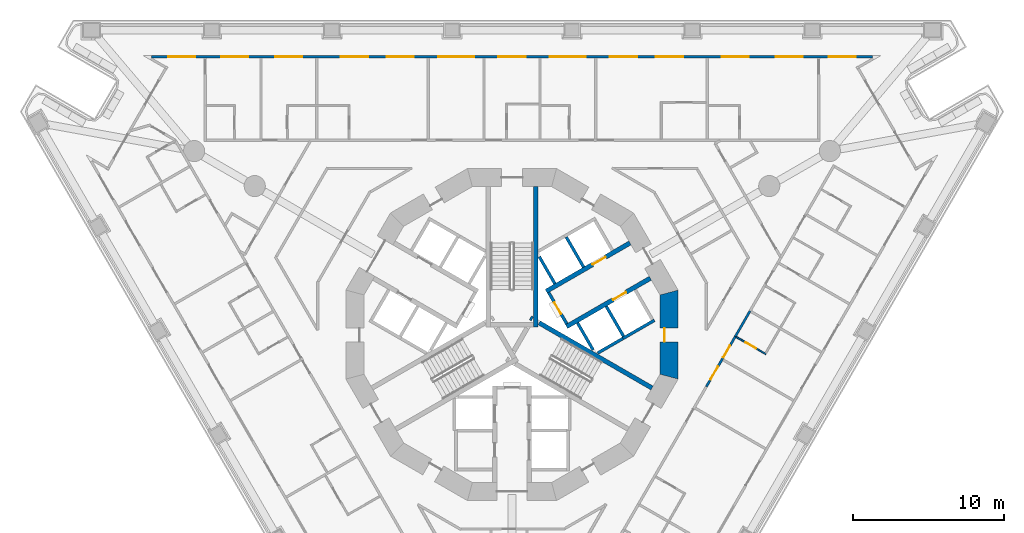
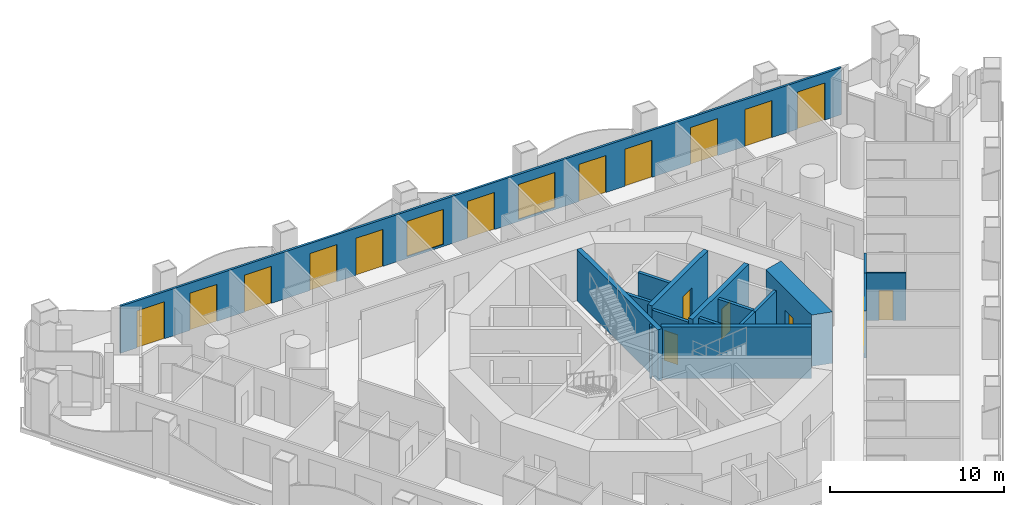
# One storey, part 8 of 19: 18 doors, 17 walls, 2 windows, 20 openings.
"""IFC4 building model written with IfcOpenShell, lengths in metres."""

from ifc_helpers import new_model, si_unit, direction, frame, frame_2d, origin, place, context, subcontext, project, spatial, polyline, rectangle, outline, extrude, material, layer, layer_set, type_object, element, fill, save


model = new_model("IFC4")

# Units and contexts
model_context = context("Model", 3, precision=1e-05, world=origin(), true_north=direction((0.0, 1.0)))
body_context = subcontext(model_context, "Body", "Model", "MODEL_VIEW")
ifc_project = project(units=[si_unit("LENGTHUNIT", "METRE"), si_unit("AREAUNIT", "SQUARE_METRE"), si_unit("VOLUMEUNIT", "CUBIC_METRE"), si_unit("PLANEANGLEUNIT", "RADIAN"), si_unit("MASSUNIT", "GRAM", prefix="KILO")], contexts=[model_context])

# Site, building, storey
site_placement = place(None, origin())
site = spatial("IfcSite", under=ifc_project, at=site_placement, CompositionType="ELEMENT")
building_placement = place(site_placement, origin())
building = spatial("IfcBuilding", under=site, at=building_placement, Name="Trine Commons Tower", CompositionType="ELEMENT")
storey_placement = place(building_placement, frame((0.0, 0.0, 31.5)))
storey = spatial("IfcBuildingStorey", under=building, at=storey_placement, Name="L06", CompositionType="ELEMENT", Elevation=31.5)

# Wall, openings, windows, doors
ifc_material_1 = material(Name="Aluminium-framed insulated wall panel", Category="aluminium")
ifc_layer_1 = layer(ifc_material_1, 0.14990234375)
ifc_layer_set_1 = layer_set([ifc_layer_1], Name="Aluminium-framed insulated wall panel")
wall_type_1 = type_object("IfcWallType", Name="Glazed frame wall 150, EI 60", PredefinedType="SOLIDWALL", material=ifc_layer_set_1)
wall_1_placement = place(storey_placement, frame((55.956787109375, 80.919677734375, 0.0), z_axis=(0.0, 0.0, 1.0), x_axis=(1.0, 0.0, 0.0)))
wall_1 = element("IfcWall", 1, at=wall_1_placement, inside=storey, type_object=wall_type_1, Name="Glazed frame wall F1", PredefinedType="SOLIDWALL", context=body_context, shape_type="SweptSolid", body=[
    extrude(outline(polyline([(0.1494140625, 0.074951171875), (0.1494140625, -0.074951171875), (47.93701171875, -0.074951171875), (47.93701171875, 0.074951171875), (0.1494140625, 0.074951171875)])), origin(), (0.0, 0.0, 1.0), 3.300048828125),
])
opening_1_placement = place(wall_1_placement, frame((1.24951171875, 0.0, 0.0)))
opening_1 = element("IfcOpeningElement", 2, at=opening_1_placement, cuts=wall_1, Name="Opening BD-1F1-01", PredefinedType="OPENING", context=body_context, shape_type="SweptSolid", body=[
    extrude(rectangle(XDim=1.800048828125, YDim=2.60009765625, at=frame_2d((0.89990234375, 1.300048828125))), frame((0.0, 0.0849609375, 0.0), z_axis=(0.0, -1.0, 0.0), x_axis=(1.0, 0.0, 0.0)), (0.0, 0.0, 1.0), 0.169921875),
])
opening_2_placement = place(wall_1_placement, frame((4.748291015625, 0.0, 0.0)))
opening_2 = element("IfcOpeningElement", 3, at=opening_2_placement, cuts=wall_1, Name="Opening BD-1F1-02", PredefinedType="OPENING", context=body_context, shape_type="SweptSolid", body=[
    extrude(rectangle(XDim=1.800048828125, YDim=2.60009765625, at=frame_2d((0.89990234375, 1.300048828125))), frame((0.0, 0.0849609375, 0.0), z_axis=(0.0, -1.0, 0.0), x_axis=(1.0, 0.0, 0.0)), (0.0, 0.0, 1.0), 0.169921875),
])
opening_3_placement = place(wall_1_placement, frame((8.347412109375, 0.0, 0.0)))
opening_3 = element("IfcOpeningElement", 4, at=opening_3_placement, cuts=wall_1, Name="Opening BD-1F1-03", PredefinedType="OPENING", context=body_context, shape_type="SweptSolid", body=[
    extrude(rectangle(XDim=1.800048828125, YDim=2.60009765625, at=frame_2d((0.89990234375, 1.300048828125))), frame((0.0, 0.0849609375, 0.0), z_axis=(0.0, -1.0, 0.0), x_axis=(1.0, 0.0, 0.0)), (0.0, 0.0, 1.0), 0.169921875),
])
opening_4_placement = place(wall_1_placement, frame((12.69580078125, 0.0, 0.0)))
opening_4 = element("IfcOpeningElement", 5, at=opening_4_placement, cuts=wall_1, Name="Opening BD-1F1-04", PredefinedType="OPENING", context=body_context, shape_type="SweptSolid", body=[
    extrude(rectangle(XDim=1.800048828125, YDim=2.60009765625, at=frame_2d((0.89990234375, 1.300048828125))), frame((0.0, 0.0849609375, 0.0), z_axis=(0.0, -1.0, 0.0), x_axis=(1.0, 0.0, 0.0)), (0.0, 0.0, 1.0), 0.169921875),
])
opening_5_placement = place(wall_1_placement, frame((15.7451171875, 0.0, 0.0)))
opening_5 = element("IfcOpeningElement", 6, at=opening_5_placement, cuts=wall_1, Name="Opening BD-1F1-05", PredefinedType="OPENING", context=body_context, shape_type="SweptSolid", body=[
    extrude(rectangle(XDim=1.800048828125, YDim=2.60009765625, at=frame_2d((0.89990234375, 1.300048828125))), frame((0.0, 0.0849609375, 0.0), z_axis=(0.0, -1.0, 0.0), x_axis=(1.0, 0.0, 0.0)), (0.0, 0.0, 1.0), 0.169921875),
])
opening_6_placement = place(wall_1_placement, frame((19.14404296875, 0.0, 0.14990234375)))
opening_6 = element("IfcOpeningElement", 7, at=opening_6_placement, cuts=wall_1, Name="Opening W-1F1-06", PredefinedType="OPENING", context=body_context, shape_type="SweptSolid", body=[
    extrude(rectangle(XDim=2.39990234375, YDim=2.449951171875, at=frame_2d((1.199951171875, 1.22509765625))), frame((0.0, 0.0849609375, 0.0), z_axis=(0.0, -1.0, 0.0), x_axis=(1.0, 0.0, 0.0)), (0.0, 0.0, 1.0), 0.169921875),
])
opening_7_placement = place(wall_1_placement, frame((23.142822265625, 0.0, 0.0)))
opening_7 = element("IfcOpeningElement", 8, at=opening_7_placement, cuts=wall_1, Name="Opening BD-1F1-07", PredefinedType="OPENING", context=body_context, shape_type="SweptSolid", body=[
    extrude(rectangle(XDim=1.800048828125, YDim=2.60009765625, at=frame_2d((0.89990234375, 1.300048828125))), frame((0.0, 0.0849609375, 0.0), z_axis=(0.0, -1.0, 0.0), x_axis=(1.0, 0.0, 0.0)), (0.0, 0.0, 1.0), 0.169921875),
])
opening_8_placement = place(wall_1_placement, frame((26.541748046875, 0.0, 0.14990234375)))
opening_8 = element("IfcOpeningElement", 9, at=opening_8_placement, cuts=wall_1, Name="Opening W-1F1-08", PredefinedType="OPENING", context=body_context, shape_type="SweptSolid", body=[
    extrude(rectangle(XDim=2.39990234375, YDim=2.449951171875, at=frame_2d((1.199951171875, 1.22509765625))), frame((0.0, 0.0849609375, 0.0), z_axis=(0.0, -1.0, 0.0), x_axis=(1.0, 0.0, 0.0)), (0.0, 0.0, 1.0), 0.169921875),
])
opening_9_placement = place(wall_1_placement, frame((30.54052734375, 0.0, 0.0)))
opening_9 = element("IfcOpeningElement", 10, at=opening_9_placement, cuts=wall_1, Name="Opening BD-1F1-09", PredefinedType="OPENING", context=body_context, shape_type="SweptSolid", body=[
    extrude(rectangle(XDim=1.800048828125, YDim=2.60009765625, at=frame_2d((0.89990234375, 1.300048828125))), frame((0.0, 0.0849609375, 0.0), z_axis=(0.0, -1.0, 0.0), x_axis=(1.0, 0.0, 0.0)), (0.0, 0.0, 1.0), 0.169921875),
])
opening_10_placement = place(wall_1_placement, frame((33.590087890625, 0.0, 0.0)))
opening_10 = element("IfcOpeningElement", 11, at=opening_10_placement, cuts=wall_1, Name="Opening BD-1F1-10", PredefinedType="OPENING", context=body_context, shape_type="SweptSolid", body=[
    extrude(rectangle(XDim=1.800048828125, YDim=2.60009765625, at=frame_2d((0.89990234375, 1.300048828125))), frame((0.0, 0.0849609375, 0.0), z_axis=(0.0, -1.0, 0.0), x_axis=(1.0, 0.0, 0.0)), (0.0, 0.0, 1.0), 0.169921875),
])
opening_11_placement = place(wall_1_placement, frame((37.9384765625, 0.0, 0.0)))
opening_11 = element("IfcOpeningElement", 12, at=opening_11_placement, cuts=wall_1, Name="Opening BD-1F1-11", PredefinedType="OPENING", context=body_context, shape_type="SweptSolid", body=[
    extrude(rectangle(XDim=1.800048828125, YDim=2.60009765625, at=frame_2d((0.89990234375, 1.300048828125))), frame((0.0, 0.0849609375, 0.0), z_axis=(0.0, -1.0, 0.0), x_axis=(1.0, 0.0, 0.0)), (0.0, 0.0, 1.0), 0.169921875),
])
opening_12_placement = place(wall_1_placement, frame((41.537353515625, 0.0, 0.0)))
opening_12 = element("IfcOpeningElement", 13, at=opening_12_placement, cuts=wall_1, Name="Opening BD-1F1-12", PredefinedType="OPENING", context=body_context, shape_type="SweptSolid", body=[
    extrude(rectangle(XDim=1.800048828125, YDim=2.60009765625, at=frame_2d((0.89990234375, 1.300048828125))), frame((0.0, 0.0849609375, 0.0), z_axis=(0.0, -1.0, 0.0), x_axis=(1.0, 0.0, 0.0)), (0.0, 0.0, 1.0), 0.169921875),
])
opening_13_placement = place(wall_1_placement, frame((45.036376953125, 0.0, 0.0)))
opening_13 = element("IfcOpeningElement", 14, at=opening_13_placement, cuts=wall_1, Name="Opening BD-1F1-13", PredefinedType="OPENING", context=body_context, shape_type="SweptSolid", body=[
    extrude(rectangle(XDim=1.800048828125, YDim=2.60009765625, at=frame_2d((0.89990234375, 1.300048828125))), frame((0.0, 0.0849609375, 0.0), z_axis=(0.0, -1.0, 0.0), x_axis=(1.0, 0.0, 0.0)), (0.0, 0.0, 1.0), 0.169921875),
])
ifc_material_2 = material(Name="Anodised aluminium frame with double glazing", Category="aluminium")
window_type = type_object("IfcWindowType", Name="Fixed window 2400x2450", PartitioningType="SINGLE_PANEL", PredefinedType="WINDOW", material=ifc_material_2)
window_1_placement = place(opening_6_placement, origin())
window_1 = element("IfcWindow", 15, at=window_1_placement, inside=storey, type_object=window_type, Name="Window F1 6", OverallHeight=2.449951171875, OverallWidth=2.39990234375, PartitioningType="SINGLE_PANEL", PredefinedType="WINDOW", context=body_context, shape_type="SweptSolid", body=[
    extrude(rectangle(XDim=2.39990234375, YDim=2.449951171875, at=frame_2d((1.199951171875, 1.22509765625))), frame((0.0, 0.030029296875, 0.0), z_axis=(0.0, -1.0, 0.0), x_axis=(1.0, 0.0, 0.0)), (0.0, 0.0, 1.0), 0.06005859375),
])
fill(opening_6, window_1)
window_2_placement = place(opening_8_placement, origin())
window_2 = element("IfcWindow", 16, at=window_2_placement, inside=storey, type_object=window_type, Name="Window F1 8", OverallHeight=2.449951171875, OverallWidth=2.39990234375, PartitioningType="SINGLE_PANEL", PredefinedType="WINDOW", context=body_context, shape_type="SweptSolid", body=[
    extrude(rectangle(XDim=2.39990234375, YDim=2.449951171875, at=frame_2d((1.199951171875, 1.22509765625))), frame((0.0, 0.030029296875, 0.0), z_axis=(0.0, -1.0, 0.0), x_axis=(1.0, 0.0, 0.0)), (0.0, 0.0, 1.0), 0.06005859375),
])
fill(opening_8, window_2)
door_type_1 = type_object("IfcDoorType", Name="Sliding loggia door 1800x2600", OperationType="SLIDING_TO_LEFT", PredefinedType="DOOR", material=ifc_material_2)
door_1_placement = place(opening_1_placement, origin())
door_1 = element("IfcDoor", 17, at=door_1_placement, inside=storey, type_object=door_type_1, Name="Loggia door F1 1", OperationType="SLIDING_TO_LEFT", OverallHeight=2.60009765625, OverallWidth=1.800048828125, PredefinedType="DOOR", context=body_context, shape_type="SweptSolid", body=[
    extrude(rectangle(XDim=1.800048828125, YDim=2.60009765625, at=frame_2d((0.89990234375, 1.300048828125))), frame((0.0, 0.02490234375, 0.0), z_axis=(0.0, -1.0, 0.0), x_axis=(1.0, 0.0, 0.0)), (0.0, 0.0, 1.0), 0.050048828125),
])
fill(opening_1, door_1)
door_2_placement = place(opening_2_placement, origin())
door_2 = element("IfcDoor", 18, at=door_2_placement, inside=storey, type_object=door_type_1, Name="Loggia door F1 2", OperationType="SLIDING_TO_LEFT", OverallHeight=2.60009765625, OverallWidth=1.800048828125, PredefinedType="DOOR", context=body_context, shape_type="SweptSolid", body=[
    extrude(rectangle(XDim=1.800048828125, YDim=2.60009765625, at=frame_2d((0.89990234375, 1.300048828125))), frame((0.0, 0.02490234375, 0.0), z_axis=(0.0, -1.0, 0.0), x_axis=(1.0, 0.0, 0.0)), (0.0, 0.0, 1.0), 0.050048828125),
])
fill(opening_2, door_2)
door_3_placement = place(opening_3_placement, origin())
door_3 = element("IfcDoor", 19, at=door_3_placement, inside=storey, type_object=door_type_1, Name="Loggia door F1 3", OperationType="SLIDING_TO_LEFT", OverallHeight=2.60009765625, OverallWidth=1.800048828125, PredefinedType="DOOR", context=body_context, shape_type="SweptSolid", body=[
    extrude(rectangle(XDim=1.800048828125, YDim=2.60009765625, at=frame_2d((0.89990234375, 1.300048828125))), frame((0.0, 0.02490234375, 0.0), z_axis=(0.0, -1.0, 0.0), x_axis=(1.0, 0.0, 0.0)), (0.0, 0.0, 1.0), 0.050048828125),
])
fill(opening_3, door_3)
door_4_placement = place(opening_4_placement, origin())
door_4 = element("IfcDoor", 20, at=door_4_placement, inside=storey, type_object=door_type_1, Name="Loggia door F1 4", OperationType="SLIDING_TO_LEFT", OverallHeight=2.60009765625, OverallWidth=1.800048828125, PredefinedType="DOOR", context=body_context, shape_type="SweptSolid", body=[
    extrude(rectangle(XDim=1.800048828125, YDim=2.60009765625, at=frame_2d((0.89990234375, 1.300048828125))), frame((0.0, 0.02490234375, 0.0), z_axis=(0.0, -1.0, 0.0), x_axis=(1.0, 0.0, 0.0)), (0.0, 0.0, 1.0), 0.050048828125),
])
fill(opening_4, door_4)
door_5_placement = place(opening_5_placement, origin())
door_5 = element("IfcDoor", 21, at=door_5_placement, inside=storey, type_object=door_type_1, Name="Loggia door F1 5", OperationType="SLIDING_TO_LEFT", OverallHeight=2.60009765625, OverallWidth=1.800048828125, PredefinedType="DOOR", context=body_context, shape_type="SweptSolid", body=[
    extrude(rectangle(XDim=1.800048828125, YDim=2.60009765625, at=frame_2d((0.89990234375, 1.300048828125))), frame((0.0, 0.02490234375, 0.0), z_axis=(0.0, -1.0, 0.0), x_axis=(1.0, 0.0, 0.0)), (0.0, 0.0, 1.0), 0.050048828125),
])
fill(opening_5, door_5)
door_6_placement = place(opening_7_placement, origin())
door_6 = element("IfcDoor", 22, at=door_6_placement, inside=storey, type_object=door_type_1, Name="Loggia door F1 7", OperationType="SLIDING_TO_LEFT", OverallHeight=2.60009765625, OverallWidth=1.800048828125, PredefinedType="DOOR", context=body_context, shape_type="SweptSolid", body=[
    extrude(rectangle(XDim=1.800048828125, YDim=2.60009765625, at=frame_2d((0.89990234375, 1.300048828125))), frame((0.0, 0.02490234375, 0.0), z_axis=(0.0, -1.0, 0.0), x_axis=(1.0, 0.0, 0.0)), (0.0, 0.0, 1.0), 0.050048828125),
])
fill(opening_7, door_6)
door_7_placement = place(opening_9_placement, origin())
door_7 = element("IfcDoor", 23, at=door_7_placement, inside=storey, type_object=door_type_1, Name="Loggia door F1 9", OperationType="SLIDING_TO_LEFT", OverallHeight=2.60009765625, OverallWidth=1.800048828125, PredefinedType="DOOR", context=body_context, shape_type="SweptSolid", body=[
    extrude(rectangle(XDim=1.800048828125, YDim=2.60009765625, at=frame_2d((0.89990234375, 1.300048828125))), frame((0.0, 0.02490234375, 0.0), z_axis=(0.0, -1.0, 0.0), x_axis=(1.0, 0.0, 0.0)), (0.0, 0.0, 1.0), 0.050048828125),
])
fill(opening_9, door_7)
door_8_placement = place(opening_10_placement, origin())
door_8 = element("IfcDoor", 24, at=door_8_placement, inside=storey, type_object=door_type_1, Name="Loggia door F1 10", OperationType="SLIDING_TO_LEFT", OverallHeight=2.60009765625, OverallWidth=1.800048828125, PredefinedType="DOOR", context=body_context, shape_type="SweptSolid", body=[
    extrude(rectangle(XDim=1.800048828125, YDim=2.60009765625, at=frame_2d((0.89990234375, 1.300048828125))), frame((0.0, 0.02490234375, 0.0), z_axis=(0.0, -1.0, 0.0), x_axis=(1.0, 0.0, 0.0)), (0.0, 0.0, 1.0), 0.050048828125),
])
fill(opening_10, door_8)
door_9_placement = place(opening_11_placement, origin())
door_9 = element("IfcDoor", 25, at=door_9_placement, inside=storey, type_object=door_type_1, Name="Loggia door F1 11", OperationType="SLIDING_TO_LEFT", OverallHeight=2.60009765625, OverallWidth=1.800048828125, PredefinedType="DOOR", context=body_context, shape_type="SweptSolid", body=[
    extrude(rectangle(XDim=1.800048828125, YDim=2.60009765625, at=frame_2d((0.89990234375, 1.300048828125))), frame((0.0, 0.02490234375, 0.0), z_axis=(0.0, -1.0, 0.0), x_axis=(1.0, 0.0, 0.0)), (0.0, 0.0, 1.0), 0.050048828125),
])
fill(opening_11, door_9)
door_10_placement = place(opening_12_placement, origin())
door_10 = element("IfcDoor", 26, at=door_10_placement, inside=storey, type_object=door_type_1, Name="Loggia door F1 12", OperationType="SLIDING_TO_LEFT", OverallHeight=2.60009765625, OverallWidth=1.800048828125, PredefinedType="DOOR", context=body_context, shape_type="SweptSolid", body=[
    extrude(rectangle(XDim=1.800048828125, YDim=2.60009765625, at=frame_2d((0.89990234375, 1.300048828125))), frame((0.0, 0.02490234375, 0.0), z_axis=(0.0, -1.0, 0.0), x_axis=(1.0, 0.0, 0.0)), (0.0, 0.0, 1.0), 0.050048828125),
])
fill(opening_12, door_10)
door_11_placement = place(opening_13_placement, origin())
door_11 = element("IfcDoor", 27, at=door_11_placement, inside=storey, type_object=door_type_1, Name="Loggia door F1 13", OperationType="SLIDING_TO_LEFT", OverallHeight=2.60009765625, OverallWidth=1.800048828125, PredefinedType="DOOR", context=body_context, shape_type="SweptSolid", body=[
    extrude(rectangle(XDim=1.800048828125, YDim=2.60009765625, at=frame_2d((0.89990234375, 1.300048828125))), frame((0.0, 0.02490234375, 0.0), z_axis=(0.0, -1.0, 0.0), x_axis=(1.0, 0.0, 0.0)), (0.0, 0.0, 1.0), 0.050048828125),
])
fill(opening_13, door_11)

# Wall, opening, door
ifc_material_3 = material(Name="Fire-rated gypsum shaft wall system")
ifc_layer_2 = layer(ifc_material_3, 0.199951171875)
ifc_layer_set_2 = layer_set([ifc_layer_2], Name="Fire-rated gypsum shaft wall system")
wall_type_2 = type_object("IfcWallType", Name="Lobby end wall 200 mm, EI 120", PredefinedType="PARTITIONING", material=ifc_layer_set_2)
wall_2_placement = place(storey_placement, frame((83.631103515625, 63.2109375, 0.0), z_axis=(0.0, 0.0, 1.0), x_axis=(-0.50012165622, 0.865955154139, 0.0)))
wall_2 = element("IfcWall", 28, at=wall_2_placement, inside=storey, type_object=wall_type_2, Name="Lobby end wall L06", PredefinedType="PARTITIONING", context=body_context, shape_type="SweptSolid", body=[
    extrude(rectangle(XDim=2.39990234375, YDim=0.199951171875, at=frame_2d((1.199951171875, 0.0))), origin(), (0.0, 0.0, 1.0), 3.300048828125),
])
opening_14_placement = place(wall_2_placement, frame((0.749755859375, 0.0, 0.0)))
opening_14 = element("IfcOpeningElement", 29, at=opening_14_placement, cuts=wall_2, Name="Opening K05.05", PredefinedType="OPENING", context=body_context, shape_type="SweptSolid", body=[
    extrude(rectangle(XDim=0.89990234375, YDim=2.10009765625, at=frame_2d((0.449951171875, 1.050048828125))), frame((0.0, 0.10986328125, 0.0), z_axis=(0.0, -1.0, 0.0), x_axis=(1.0, 0.0, 0.0)), (0.0, 0.0, 1.0), 0.219970703125),
])
ifc_material_4 = material(Name="Steel door leaf, fire-rated", Category="steel")
door_type_2 = type_object("IfcDoorType", Name="Riser access door, single leaf 900 x 2100, FD60", OperationType="SINGLE_SWING_LEFT", PredefinedType="DOOR", material=ifc_material_4)
door_12_placement = place(opening_14_placement, frame((0.89990234375, 0.0, 0.0), z_axis=(0.0, 0.0, 1.0), x_axis=(-1.0, 0.0, 0.0)))
door_12 = element("IfcDoor", 30, at=door_12_placement, inside=storey, type_object=door_type_2, Name="Riser door, Electrical riser L06", OperationType="SINGLE_SWING_LEFT", OverallHeight=2.10009765625, OverallWidth=0.89990234375, PredefinedType="DOOR", context=body_context, shape_type="SweptSolid", body=[
    extrude(rectangle(XDim=0.89990234375, YDim=2.10009765625, at=frame_2d((0.449951171875, 1.050048828125))), frame((0.0, 0.02490234375, 0.0), z_axis=(0.0, -1.0, 0.0), x_axis=(1.0, 0.0, 0.0)), (0.0, 0.0, 1.0), 0.050048828125),
])
fill(opening_14, door_12)

ifc_material_5 = material(Name="Concrete C80/95", Category="concrete")
ifc_layer_3 = layer(ifc_material_5, 1.199951171875)
ifc_layer_set_3 = layer_set([ifc_layer_3], Name="Concrete C80/95")
wall_type_3 = type_object("IfcWallType", Name="RC shear wall 1200 mm, C80/95", PredefinedType="SHEAR", material=ifc_layer_set_3)
wall_3_placement = place(storey_placement, frame((90.41162109375, 59.549560546875, 0.0), z_axis=(0.0, 0.0, 1.0), x_axis=(0.0, 1.0, 0.0)))
wall_3 = element("IfcWall", 31, at=wall_3_placement, inside=storey, type_object=wall_type_3, Name="Core wall CWA-01 L06", PredefinedType="SHEAR", context=body_context, shape_type="SweptSolid", body=[
    extrude(outline(polyline([(0.0, -0.60009765625), (5.90087890625, -0.60009765625), (5.57958984375, 0.60009765625), (0.321533203125, 0.60009765625), (0.0, -0.60009765625)])), origin(), (0.0, 0.0, 1.0), 3.60009765625),
])
opening_15_placement = place(wall_3_placement, frame((2.4755859375, 0.0, 0.0)))
opening_15 = element("IfcOpeningElement", 32, at=opening_15_placement, cuts=wall_3, Name="Opening K05.16", PredefinedType="OPENING", context=body_context, shape_type="SweptSolid", body=[
    extrude(rectangle(XDim=0.89990234375, YDim=2.10009765625, at=frame_2d((0.449951171875, 1.050048828125))), frame((0.0, 0.60986328125, 0.0), z_axis=(0.0, -1.0, 0.0), x_axis=(1.0, 0.0, 0.0)), (0.0, 0.0, 1.0), 1.219970703125),
])
door_type_3 = type_object("IfcDoorType", Name="Core room door, single leaf 900 x 2100, FD30S", OperationType="SINGLE_SWING_LEFT", PredefinedType="DOOR", material=ifc_material_4)
door_13_placement = place(opening_15_placement, origin())
door_13 = element("IfcDoor", 33, at=door_13_placement, inside=storey, type_object=door_type_3, Name="Door to Accessible WC L06", OperationType="SINGLE_SWING_LEFT", OverallHeight=2.10009765625, OverallWidth=0.89990234375, PredefinedType="DOOR", context=body_context, shape_type="SweptSolid", body=[
    extrude(rectangle(XDim=0.89990234375, YDim=2.10009765625, at=frame_2d((0.449951171875, 1.050048828125))), frame((0.0, 0.3251953125, 0.0), z_axis=(0.0, -1.0, 0.0), x_axis=(1.0, 0.0, 0.0)), (0.0, 0.0, 1.0), 0.050048828125),
])
fill(opening_15, door_13)

ifc_layer_4 = layer(ifc_material_5, 0.300048828125)
ifc_layer_set_4 = layer_set([ifc_layer_4], Name="Concrete C80/95")
wall_type_4 = type_object("IfcWallType", Name="RC shear wall 300 mm, C80/95", PredefinedType="SHEAR", material=ifc_layer_set_4)
wall_4_placement = place(storey_placement, frame((82.26904296875, 65.368896484375, 0.0), z_axis=(0.0, 0.0, 1.0), x_axis=(0.866022631842, 0.500004801114, 0.0)))
wall_4 = element("IfcWall", 34, at=wall_4_placement, inside=storey, type_object=wall_type_4, Name="Core cross wall SWA-05 L06", PredefinedType="SHEAR", context=body_context, shape_type="SweptSolid", body=[
    extrude(rectangle(XDim=6.412109375, YDim=0.300048828125, at=frame_2d((3.2060546875, 0.0))), origin(), (0.0, 0.0, 1.0), 3.60009765625),
])
opening_16_placement = place(wall_4_placement, frame((3.55029296875, 0.0, 0.0)))
opening_16 = element("IfcOpeningElement", 35, at=opening_16_placement, cuts=wall_4, Name="Opening LD1", PredefinedType="OPENING", context=body_context, shape_type="SweptSolid", body=[
    extrude(rectangle(XDim=1.0, YDim=2.10009765625, at=frame_2d((0.5, 1.050048828125))), frame((0.0, 0.159912109375, 0.0), z_axis=(0.0, -1.0, 0.0), x_axis=(1.0, 0.0, 0.0)), (0.0, 0.0, 1.0), 0.320068359375),
])
ifc_material_6 = material(Name="Stainless steel sliding door leaves", Category="steel")
door_type_4 = type_object("IfcDoorType", Name="Lift landing door, centre-opening sliding 1000 x 2100, FD90", OperationType="DOUBLE_DOOR_SLIDING", PredefinedType="DOOR", material=ifc_material_6)
door_14_placement = place(opening_16_placement, origin())
door_14 = element("IfcDoor", 36, at=door_14_placement, inside=storey, type_object=door_type_4, Name="Lift landing door LR1 L06", OperationType="DOUBLE_DOOR_SLIDING", OverallHeight=2.10009765625, OverallWidth=1.0, PredefinedType="DOOR", context=body_context, shape_type="SweptSolid", body=[
    extrude(rectangle(XDim=1.0, YDim=2.10009765625, at=frame_2d((0.5, 1.050048828125))), frame((0.0, 0.02490234375, 0.0), z_axis=(0.0, -1.0, 0.0), x_axis=(1.0, 0.0, 0.0)), (0.0, 0.0, 1.0), 0.050048828125),
])
fill(opening_16, door_14)

wall_5_placement = place(storey_placement, frame((83.618896484375, 63.031005859375, 0.0), z_axis=(0.0, 0.0, 1.0), x_axis=(0.866032150378, 0.499988314375, 0.0)))
wall_5 = element("IfcWall", 37, at=wall_5_placement, inside=storey, type_object=wall_type_4, Name="Core cross wall SWA-06 L06", PredefinedType="SHEAR", context=body_context, shape_type="SweptSolid", body=[
    extrude(rectangle(XDim=6.412353515625, YDim=0.300048828125, at=frame_2d((3.2060546875, 0.0))), origin(), (0.0, 0.0, 1.0), 3.60009765625),
])
opening_17_placement = place(wall_5_placement, frame((3.55029296875, 0.0, 0.0)))
opening_17 = element("IfcOpeningElement", 38, at=opening_17_placement, cuts=wall_5, Name="Opening LD2", PredefinedType="OPENING", context=body_context, shape_type="SweptSolid", body=[
    extrude(rectangle(XDim=1.0, YDim=2.10009765625, at=frame_2d((0.5, 1.050048828125))), frame((0.0, 0.159912109375, 0.0), z_axis=(0.0, -1.0, 0.0), x_axis=(1.0, 0.0, 0.0)), (0.0, 0.0, 1.0), 0.320068359375),
])
door_15_placement = place(opening_17_placement, origin())
door_15 = element("IfcDoor", 39, at=door_15_placement, inside=storey, type_object=door_type_4, Name="Lift landing door LR2 L06", OperationType="DOUBLE_DOOR_SLIDING", OverallHeight=2.10009765625, OverallWidth=1.0, PredefinedType="DOOR", context=body_context, shape_type="SweptSolid", body=[
    extrude(rectangle(XDim=1.0, YDim=2.10009765625, at=frame_2d((0.5, 1.050048828125))), frame((0.0, 0.02490234375, 0.0), z_axis=(0.0, -1.0, 0.0), x_axis=(1.0, 0.0, 0.0)), (0.0, 0.0, 1.0), 0.050048828125),
])
fill(opening_17, door_15)

# Walls
wall_6_placement = place(storey_placement, frame((81.220947265625, 63.614013671875, 0.0), z_axis=(0.0, 0.0, 1.0), x_axis=(0.867737973955, -0.497021939713, 0.0)))
element("IfcWall", 40, at=wall_6_placement, inside=storey, type_object=wall_type_4, Name="Core cross wall SWA-15 L06", PredefinedType="SHEAR", context=body_context, shape_type="SweptSolid", body=[
    extrude(rectangle(XDim=0.14892578125, YDim=0.300048828125, at=frame_2d((0.074462890625, 0.0))), origin(), (0.0, 0.0, 1.0), 3.60009765625),
])
wall_7_placement = place(storey_placement, frame((81.574951171875, 63.0009765625, 0.0), z_axis=(0.0, 0.0, 1.0), x_axis=(0.0, 1.0, 0.0)))
element("IfcWall", 41, at=wall_7_placement, inside=storey, type_object=wall_type_4, Name="Core cross wall SWA-17 L06", PredefinedType="SHEAR", context=body_context, shape_type="SweptSolid", body=[
    extrude(rectangle(XDim=9.31103515625, YDim=0.300048828125, at=frame_2d((4.655517578125, 0.0))), origin(), (0.0, 0.0, 1.0), 3.60009765625),
])
wall_8_placement = place(storey_placement, frame((81.800048828125, 63.280029296875, 0.0), z_axis=(0.0, 0.0, 1.0), x_axis=(0.865965399159, -0.500103916661, 0.0)))
element("IfcWall", 42, at=wall_8_placement, inside=storey, type_object=wall_type_4, Name="Core cross wall SWA-18 L06", PredefinedType="SHEAR", context=body_context, shape_type="SweptSolid", body=[
    extrude(rectangle(XDim=8.642333984375, YDim=0.300048828125, at=frame_2d((4.3212890625, 0.0))), origin(), (0.0, 0.0, 1.0), 3.60009765625),
])
ifc_layer_5 = layer(ifc_material_3, 0.199951171875)
ifc_layer_set_5 = layer_set([ifc_layer_5], Name="Fire-rated gypsum shaft wall system")
wall_type_5 = type_object("IfcWallType", Name="Shaft wall 200 mm, EI 120", PredefinedType="PARTITIONING", material=ifc_layer_set_5)
wall_9_placement = place(storey_placement, frame((82.843994140625, 65.8740234375, 0.0), z_axis=(0.0, 0.0, 1.0), x_axis=(-0.499865770674, 0.866102887253, 0.0)))
element("IfcWall", 43, at=wall_9_placement, inside=storey, type_object=wall_type_5, Name="Shaft wall L06", PredefinedType="PARTITIONING", context=body_context, shape_type="SweptSolid", body=[
    extrude(rectangle(XDim=2.064453125, YDim=0.199951171875, at=frame_2d((1.0322265625, 0.0))), origin(), (0.0, 0.0, 1.0), 3.300048828125),
])
wall_10_placement = place(storey_placement, frame((84.343994140625, 63.27587890625, 0.0), z_axis=(0.0, 0.0, 1.0), x_axis=(0.500271688072, -0.86586848777, 0.0)))
element("IfcWall", 44, at=wall_10_placement, inside=storey, type_object=wall_type_5, Name="Shaft wall L06", PredefinedType="PARTITIONING", context=body_context, shape_type="SweptSolid", body=[
    extrude(rectangle(XDim=2.064697265625, YDim=0.199951171875, at=frame_2d((1.0322265625, 0.0))), origin(), (0.0, 0.0, 1.0), 3.300048828125),
])
wall_11_placement = place(storey_placement, frame((84.7490234375, 66.97412109375, 0.0), z_axis=(0.0, 0.0, 1.0), x_axis=(-0.500136062276, 0.86594683394, 0.0)))
element("IfcWall", 45, at=wall_11_placement, inside=storey, type_object=wall_type_5, Name="Shaft wall L06", PredefinedType="PARTITIONING", context=body_context, shape_type="SweptSolid", body=[
    extrude(rectangle(XDim=2.299072265625, YDim=0.199951171875, at=frame_2d((1.1494140625, 0.0))), origin(), (0.0, 0.0, 1.0), 3.300048828125),
])
wall_12_placement = place(storey_placement, frame((85.675048828125, 61.27294921875, 0.0), z_axis=(0.0, 0.0, 1.0), x_axis=(0.865780634835, 0.500423712812, 0.0)))
element("IfcWall", 46, at=wall_12_placement, inside=storey, type_object=wall_type_5, Name="Shaft wall L06", PredefinedType="PARTITIONING", context=body_context, shape_type="SweptSolid", body=[
    extrude(rectangle(XDim=1.948486328125, YDim=0.199951171875, at=frame_2d((0.97412109375, 0.0))), origin(), (0.0, 0.0, 1.0), 3.300048828125),
])
wall_13_placement = place(storey_placement, frame((86.2490234375, 64.3759765625, 0.0), z_axis=(0.0, 0.0, 1.0), x_axis=(0.500136062276, -0.86594683394, 0.0)))
element("IfcWall", 47, at=wall_13_placement, inside=storey, type_object=wall_type_5, Name="Shaft wall L06", PredefinedType="PARTITIONING", context=body_context, shape_type="SweptSolid", body=[
    extrude(rectangle(XDim=2.299072265625, YDim=0.199951171875, at=frame_2d((1.1494140625, 0.0))), origin(), (0.0, 0.0, 1.0), 3.300048828125),
])
wall_14_placement = place(storey_placement, frame((87.362060546875, 62.248046875, 0.0), z_axis=(0.0, 0.0, 1.0), x_axis=(0.866177122335, 0.499737123639, 0.0)))
element("IfcWall", 48, at=wall_14_placement, inside=storey, type_object=wall_type_5, Name="Shaft wall L06", PredefinedType="PARTITIONING", context=body_context, shape_type="SweptSolid", body=[
    extrude(rectangle(XDim=2.401123046875, YDim=0.199951171875, at=frame_2d((1.20068359375, 0.0))), origin(), (0.0, 0.0, 1.0), 3.300048828125),
])

# Wall, openings, doors
ifc_material_7 = material(Name="Gypsum plasterboard on steel stud", Category="steel")
ifc_layer_6 = layer(ifc_material_7, 0.14990234375)
ifc_layer_set_6 = layer_set([ifc_layer_6], Name="Gypsum plasterboard on steel stud")
wall_type_6 = type_object("IfcWallType", Name="Unit and corridor wall 150 mm, EI 60", PredefinedType="PARTITIONING", material=ifc_layer_set_6)
wall_15_placement = place(storey_placement, frame((92.886962890625, 59.047119140625, 0.0), z_axis=(0.0, 0.0, 1.0), x_axis=(0.499944721712, 0.866057316367, 0.0)))
wall_15 = element("IfcWall", 49, at=wall_15_placement, inside=storey, type_object=wall_type_6, Name="Partition 107", PredefinedType="PARTITIONING", context=body_context, shape_type="SweptSolid", body=[
    extrude(rectangle(XDim=3.8984375, YDim=0.14990234375, at=frame_2d((1.94921875, 0.0))), origin(), (0.0, 0.0, 1.0), 3.300048828125),
])
opening_18_placement = place(wall_15_placement, frame((2.245361328125, 0.0, 0.0)))
opening_18 = element("IfcOpeningElement", 50, at=opening_18_placement, cuts=wall_15, Name="Opening D-1A18", PredefinedType="OPENING", context=body_context, shape_type="SweptSolid", body=[
    extrude(rectangle(XDim=0.89990234375, YDim=2.10009765625, at=frame_2d((0.449951171875, 1.050048828125))), frame((0.0, 0.0849609375, 0.0), z_axis=(0.0, -1.0, 0.0), x_axis=(1.0, 0.0, 0.0)), (0.0, 0.0, 1.0), 0.169921875),
])
opening_19_placement = place(wall_15_placement, frame((0.547607421875, 0.0, 0.0)))
opening_19 = element("IfcOpeningElement", 51, at=opening_19_placement, cuts=wall_15, Name="Opening D-1A19", PredefinedType="OPENING", context=body_context, shape_type="SweptSolid", body=[
    extrude(rectangle(XDim=1.0, YDim=2.10009765625, at=frame_2d((0.5, 1.050048828125))), frame((0.0, 0.0849609375, 0.0), z_axis=(0.0, -1.0, 0.0), x_axis=(1.0, 0.0, 0.0)), (0.0, 0.0, 1.0), 0.169921875),
])
ifc_material_8 = material(Name="Painted timber", Category="wood")
door_type_5 = type_object("IfcDoorType", Name="Amenity room door 1000 x 2100, NOT RATED", OperationType="NOTDEFINED", PredefinedType="DOOR", material=ifc_material_8)
door_16_placement = place(opening_19_placement, frame((1.0, 0.0, 0.0), z_axis=(0.0, 0.0, 1.0), x_axis=(-1.0, 0.0, 0.0)))
door_16 = element("IfcDoor", 52, at=door_16_placement, inside=storey, type_object=door_type_5, Name="Door D-1A19", OperationType="SINGLE_SWING_RIGHT", OverallHeight=2.10009765625, OverallWidth=1.0, PredefinedType="DOOR", context=body_context, shape_type="SweptSolid", body=[
    extrude(rectangle(XDim=1.0, YDim=2.10009765625, at=frame_2d((0.5, 1.050048828125))), frame((0.0, 0.02490234375, 0.0), z_axis=(0.0, -1.0, 0.0), x_axis=(1.0, 0.0, 0.0)), (0.0, 0.0, 1.0), 0.050048828125),
])
fill(opening_19, door_16)
ifc_material_9 = material(Name="Timber fire door set", Category="wood")
door_type_6 = type_object("IfcDoorType", Name="Bedroom door 900 x 2100, FD30S", OperationType="NOTDEFINED", PredefinedType="DOOR", material=ifc_material_9)
door_17_placement = place(opening_18_placement, frame((0.89990234375, 0.0, 0.0), z_axis=(0.0, 0.0, 1.0), x_axis=(-1.0, 0.0, 0.0)))
door_17 = element("IfcDoor", 53, at=door_17_placement, inside=storey, type_object=door_type_6, Name="Door D-1A18", OperationType="SINGLE_SWING_LEFT", OverallHeight=2.10009765625, OverallWidth=0.89990234375, PredefinedType="DOOR", context=body_context, shape_type="SweptSolid", body=[
    extrude(rectangle(XDim=0.89990234375, YDim=2.10009765625, at=frame_2d((0.449951171875, 1.050048828125))), frame((0.0, 0.02490234375, 0.0), z_axis=(0.0, -1.0, 0.0), x_axis=(1.0, 0.0, 0.0)), (0.0, 0.0, 1.0), 0.050048828125),
])
fill(opening_18, door_17)

# Wall
wall_16_placement = place(storey_placement, frame((94.80810546875, 62.3740234375, 0.0), z_axis=(0.0, 0.0, 1.0), x_axis=(0.499884524299, 0.866092063448, 0.0)))
element("IfcWall", 54, at=wall_16_placement, inside=storey, type_object=wall_type_6, Name="Partition 116", PredefinedType="PARTITIONING", context=body_context, shape_type="SweptSolid", body=[
    extrude(rectangle(XDim=1.9560546875, YDim=0.14990234375, at=frame_2d((0.97802734375, 0.0))), origin(), (0.0, 0.0, 1.0), 3.300048828125),
])

# Wall, opening, door
ifc_layer_7 = layer(ifc_material_7, 0.10009765625)
ifc_layer_set_7 = layer_set([ifc_layer_7], Name="Gypsum plasterboard on steel stud")
wall_type_7 = type_object("IfcWallType", Name="Unit partition 100 mm, no rating", PredefinedType="PARTITIONING", material=ifc_layer_set_7)
wall_17_placement = place(storey_placement, frame((94.8740234375, 62.339599609375, 0.0), z_axis=(0.0, 0.0, 1.0), x_axis=(0.865989003036, -0.500063042646, 0.0)))
wall_17 = element("IfcWall", 55, at=wall_17_placement, inside=storey, type_object=wall_type_7, Name="Partition 117", PredefinedType="PARTITIONING", context=body_context, shape_type="SweptSolid", body=[
    extrude(rectangle(XDim=2.275146484375, YDim=0.10009765625, at=frame_2d((1.1376953125, 0.0))), origin(), (0.0, 0.0, 1.0), 3.300048828125),
])
opening_20_placement = place(wall_17_placement, frame((0.712646484375, 0.0, 0.0)))
opening_20 = element("IfcOpeningElement", 56, at=opening_20_placement, cuts=wall_17, Name="Opening D-1A51", PredefinedType="OPENING", context=body_context, shape_type="SweptSolid", body=[
    extrude(rectangle(XDim=0.800048828125, YDim=2.10009765625, at=frame_2d((0.39990234375, 1.050048828125))), frame((0.0, 0.06005859375, 0.0), z_axis=(0.0, -1.0, 0.0), x_axis=(1.0, 0.0, 0.0)), (0.0, 0.0, 1.0), 0.1201171875),
])
door_type_7 = type_object("IfcDoorType", Name="Internal door 800 x 2100, NOT RATED", OperationType="NOTDEFINED", PredefinedType="DOOR", material=ifc_material_8)
door_18_placement = place(opening_20_placement, frame((0.800048828125, 0.0, 0.0), z_axis=(0.0, 0.0, 1.0), x_axis=(-1.0, 0.0, 0.0)))
door_18 = element("IfcDoor", 57, at=door_18_placement, inside=storey, type_object=door_type_7, Name="Door D-1A51", OperationType="SINGLE_SWING_RIGHT", OverallHeight=2.10009765625, OverallWidth=0.800048828125, PredefinedType="DOOR", context=body_context, shape_type="SweptSolid", body=[
    extrude(rectangle(XDim=0.800048828125, YDim=2.10009765625, at=frame_2d((0.39990234375, 1.050048828125))), frame((0.0, 0.02490234375, 0.0), z_axis=(0.0, -1.0, 0.0), x_axis=(1.0, 0.0, 0.0)), (0.0, 0.0, 1.0), 0.050048828125),
])
fill(opening_20, door_18)

save(model, "model.ifc")
